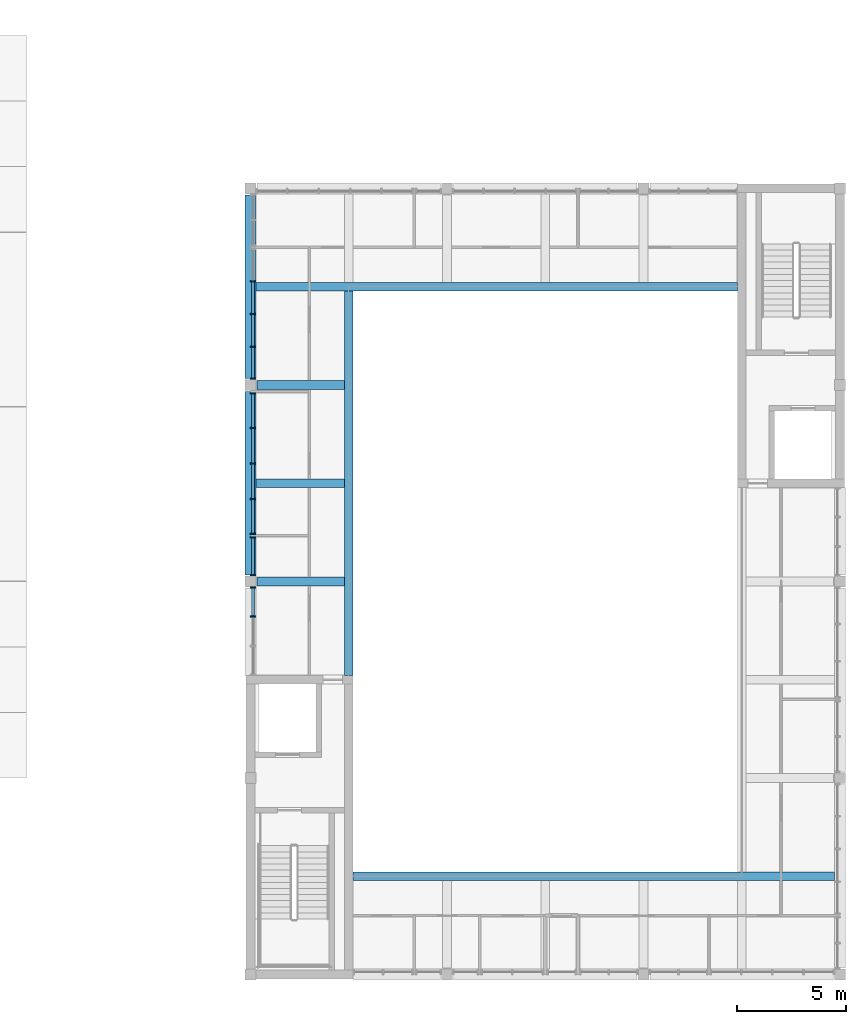
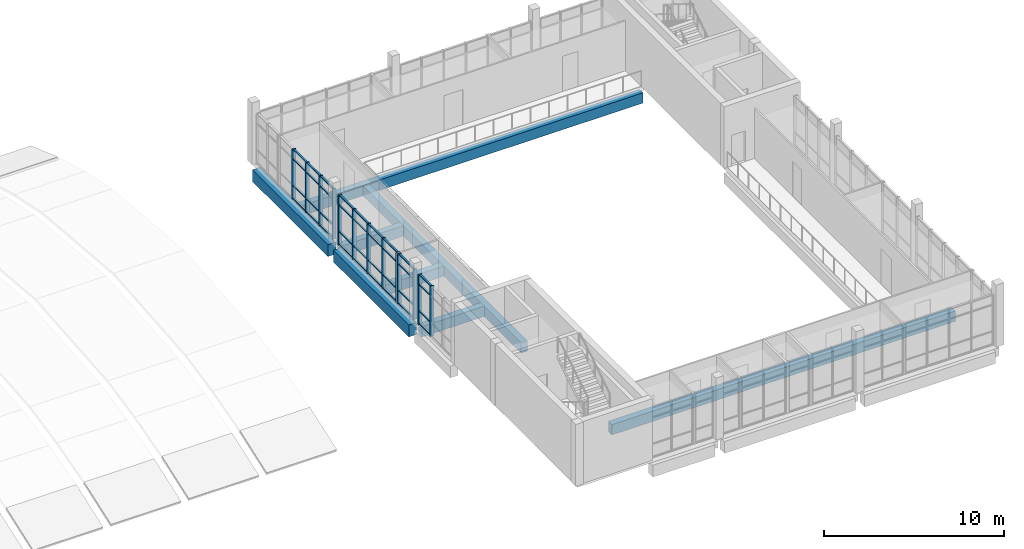
# One storey, part 7 of 74: 49 members, 8 beams, 4 elements without a shape of their own.
"""IFC4 building model written with IfcOpenShell, lengths in metres."""

from ifc_helpers import new_model, si_unit, direction, frame, origin, origin_2d, place, context, subcontext, project, spatial, rectangle, extrude, material, material_profile, profile_set, type_object, element, aggregate, save


model = new_model("IFC4")

# Units and contexts
model_context = context("Model", 3, precision=1e-05, world=origin(), true_north=direction((0.0, 1.0)))
body_context = subcontext(model_context, "Body", "Model", "MODEL_VIEW")
ifc_project = project(units=[si_unit("LENGTHUNIT", "METRE"), si_unit("AREAUNIT", "SQUARE_METRE"), si_unit("VOLUMEUNIT", "CUBIC_METRE"), si_unit("PLANEANGLEUNIT", "RADIAN"), si_unit("MASSUNIT", "GRAM", prefix="KILO")], contexts=[model_context])

# Site, building, storey
site_placement = place(None, origin())
site = spatial("IfcSite", under=ifc_project, at=site_placement, CompositionType="ELEMENT")
building_placement = place(site_placement, origin())
building = spatial("IfcBuilding", under=site, at=building_placement, Name="Merrow Basin Faculty of Sciences", CompositionType="ELEMENT")
storey_placement = place(building_placement, frame((0.0, 0.0, 13.5)))
storey = spatial("IfcBuildingStorey", under=building, at=storey_placement, Name="L03", CompositionType="ELEMENT", Elevation=13.5)

# Curtain wall, members
ifc_material_1 = material(Name="Aluminium alloy 6063", Category="aluminium")
curtain_wall_type = type_object("IfcCurtainWallType", Name="Atrium unitised curtain wall 240", PredefinedType="NOTDEFINED", material=ifc_material_1)
curtain_wall_1_placement = place(storey_placement, origin())
curtain_wall_1 = element("IfcCurtainWall", 1, at=curtain_wall_1_placement, inside=storey, type_object=curtain_wall_type, Name="W curtain wall L03 1", PredefinedType="NOTDEFINED")
ifc_material_2 = material(Name="Aluminium alloy 6063", Category="aluminium")
ifc_material_profile_1 = material_profile(ifc_material_2, rectangle(XDim=0.239990234375, YDim=0.06005859375, at=origin_2d()))
ifc_profile_set_1 = profile_set([ifc_material_profile_1], Name="Aluminium alloy 6063")
member_type_1 = type_object("IfcMemberType", Name="Aluminium mullion 60x240", PredefinedType="MULLION", material=ifc_profile_set_1)
member_1_placement = place(storey_placement, frame((45.1201171875, 16.39990234375, 0.0), z_axis=(0.0, 0.0, 1.0), x_axis=(-1.0, 0.0, 0.0)))
member_1 = element("IfcMember", 2, at=member_1_placement, type_object=member_type_1, Name="CW5 mullion 3", PredefinedType="MULLION", context=body_context, shape_type="SweptSolid", body=[
    extrude(rectangle(XDim=0.239990234375, YDim=0.06005859375, at=origin_2d()), origin(), (0.0, 0.0, 1.0), 3.39990234375),
])
member_2_placement = place(storey_placement, frame((45.1201171875, 17.719970703125, 0.0), z_axis=(0.0, 0.0, 1.0), x_axis=(-1.0, 0.0, 0.0)))
member_2 = element("IfcMember", 3, at=member_2_placement, type_object=member_type_1, Name="CW5 mullion 4", PredefinedType="MULLION", context=body_context, shape_type="SweptSolid", body=[
    extrude(rectangle(XDim=0.239990234375, YDim=0.06005859375, at=origin_2d()), origin(), (0.0, 0.0, 1.0), 3.39990234375),
])

curtain_wall_2_placement = place(storey_placement, origin())
curtain_wall_2 = element("IfcCurtainWall", 4, at=curtain_wall_2_placement, inside=storey, type_object=curtain_wall_type, Name="W curtain wall L03 2", PredefinedType="NOTDEFINED")
member_3_placement = place(storey_placement, frame((45.1201171875, 18.280029296875, 0.0), z_axis=(0.0, 0.0, 1.0), x_axis=(-1.0, 0.0, 0.0)))
member_3 = element("IfcMember", 5, at=member_3_placement, type_object=member_type_1, Name="CW5 mullion 1", PredefinedType="MULLION", context=body_context, shape_type="SweptSolid", body=[
    extrude(rectangle(XDim=0.239990234375, YDim=0.06005859375, at=origin_2d()), origin(), (0.0, 0.0, 1.0), 3.39990234375),
])
member_4_placement = place(storey_placement, frame((45.1201171875, 20.02001953125, 0.0), z_axis=(0.0, 0.0, 1.0), x_axis=(-1.0, 0.0, 0.0)))
member_4 = element("IfcMember", 6, at=member_4_placement, type_object=member_type_1, Name="CW5 mullion 2", PredefinedType="MULLION", context=body_context, shape_type="SweptSolid", body=[
    extrude(rectangle(XDim=0.239990234375, YDim=0.06005859375, at=origin_2d()), origin(), (0.0, 0.0, 1.0), 3.39990234375),
])

curtain_wall_3_placement = place(storey_placement, origin())
curtain_wall_3 = element("IfcCurtainWall", 7, at=curtain_wall_3_placement, inside=storey, type_object=curtain_wall_type, Name="W curtain wall L03 3", PredefinedType="NOTDEFINED")
member_5_placement = place(storey_placement, frame((45.1201171875, 20.179931640625, 0.0), z_axis=(0.0, 0.0, 1.0), x_axis=(-1.0, 0.0, 0.0)))
member_5 = element("IfcMember", 8, at=member_5_placement, type_object=member_type_1, Name="CW5 mullion 1", PredefinedType="MULLION", context=body_context, shape_type="SweptSolid", body=[
    extrude(rectangle(XDim=0.239990234375, YDim=0.06005859375, at=origin_2d()), origin(), (0.0, 0.0, 1.0), 3.39990234375),
])
member_6_placement = place(storey_placement, frame((45.1201171875, 21.77490234375, 0.0), z_axis=(0.0, 0.0, 1.0), x_axis=(-1.0, 0.0, 0.0)))
member_6 = element("IfcMember", 9, at=member_6_placement, type_object=member_type_1, Name="CW5 mullion 2", PredefinedType="MULLION", context=body_context, shape_type="SweptSolid", body=[
    extrude(rectangle(XDim=0.239990234375, YDim=0.06005859375, at=origin_2d()), origin(), (0.0, 0.0, 1.0), 3.39990234375),
])
member_7_placement = place(storey_placement, frame((45.1201171875, 23.39990234375, 0.0), z_axis=(0.0, 0.0, 1.0), x_axis=(-1.0, 0.0, 0.0)))
member_7 = element("IfcMember", 10, at=member_7_placement, type_object=member_type_1, Name="CW5 mullion 3", PredefinedType="MULLION", context=body_context, shape_type="SweptSolid", body=[
    extrude(rectangle(XDim=0.239990234375, YDim=0.06005859375, at=origin_2d()), origin(), (0.0, 0.0, 1.0), 3.39990234375),
])
member_8_placement = place(storey_placement, frame((45.1201171875, 25.02490234375, 0.0), z_axis=(0.0, 0.0, 1.0), x_axis=(-1.0, 0.0, 0.0)))
member_8 = element("IfcMember", 11, at=member_8_placement, type_object=member_type_1, Name="CW5 mullion 4", PredefinedType="MULLION", context=body_context, shape_type="SweptSolid", body=[
    extrude(rectangle(XDim=0.239990234375, YDim=0.06005859375, at=origin_2d()), origin(), (0.0, 0.0, 1.0), 3.39990234375),
])
member_9_placement = place(storey_placement, frame((45.1201171875, 26.6201171875, 0.0), z_axis=(0.0, 0.0, 1.0), x_axis=(-1.0, 0.0, 0.0)))
member_9 = element("IfcMember", 12, at=member_9_placement, type_object=member_type_1, Name="CW5 mullion 5", PredefinedType="MULLION", context=body_context, shape_type="SweptSolid", body=[
    extrude(rectangle(XDim=0.239990234375, YDim=0.06005859375, at=origin_2d()), origin(), (0.0, 0.0, 1.0), 3.39990234375),
])

curtain_wall_4_placement = place(storey_placement, origin())
curtain_wall_4 = element("IfcCurtainWall", 13, at=curtain_wall_4_placement, inside=storey, type_object=curtain_wall_type, Name="W curtain wall L03 4", PredefinedType="NOTDEFINED")
member_10_placement = place(storey_placement, frame((45.1201171875, 27.280029296875, 0.0), z_axis=(0.0, 0.0, 1.0), x_axis=(-1.0, 0.0, 0.0)))
member_10 = element("IfcMember", 14, at=member_10_placement, type_object=member_type_1, Name="CW5 mullion 1", PredefinedType="MULLION", context=body_context, shape_type="SweptSolid", body=[
    extrude(rectangle(XDim=0.239990234375, YDim=0.06005859375, at=origin_2d()), origin(), (0.0, 0.0, 1.0), 3.39990234375),
])
member_11_placement = place(storey_placement, frame((45.1201171875, 28.75, 0.0), z_axis=(0.0, 0.0, 1.0), x_axis=(-1.0, 0.0, 0.0)))
member_11 = element("IfcMember", 15, at=member_11_placement, type_object=member_type_1, Name="CW5 mullion 2", PredefinedType="MULLION", context=body_context, shape_type="SweptSolid", body=[
    extrude(rectangle(XDim=0.239990234375, YDim=0.06005859375, at=origin_2d()), origin(), (0.0, 0.0, 1.0), 3.39990234375),
])
member_12_placement = place(storey_placement, frame((45.1201171875, 30.25, 0.0), z_axis=(0.0, 0.0, 1.0), x_axis=(-1.0, 0.0, 0.0)))
member_12 = element("IfcMember", 16, at=member_12_placement, type_object=member_type_1, Name="CW5 mullion 3", PredefinedType="MULLION", context=body_context, shape_type="SweptSolid", body=[
    extrude(rectangle(XDim=0.239990234375, YDim=0.06005859375, at=origin_2d()), origin(), (0.0, 0.0, 1.0), 3.39990234375),
])
member_13_placement = place(storey_placement, frame((45.1201171875, 31.75, 0.0), z_axis=(0.0, 0.0, 1.0), x_axis=(-1.0, 0.0, 0.0)))
member_13 = element("IfcMember", 17, at=member_13_placement, type_object=member_type_1, Name="CW5 mullion 4", PredefinedType="MULLION", context=body_context, shape_type="SweptSolid", body=[
    extrude(rectangle(XDim=0.239990234375, YDim=0.06005859375, at=origin_2d()), origin(), (0.0, 0.0, 1.0), 3.39990234375),
])

# Member
ifc_material_3 = material(Name="Aluminium alloy 6063", Category="aluminium")
ifc_material_profile_2 = material_profile(ifc_material_3, rectangle(XDim=0.1201171875, YDim=0.06005859375, at=origin_2d()))
ifc_profile_set_2 = profile_set([ifc_material_profile_2], Name="Aluminium alloy 6063")
member_type_2 = type_object("IfcMemberType", Name="Aluminium transom 60x120", PredefinedType="USERDEFINED", material=ifc_profile_set_2)
member_14_placement = place(storey_placement, frame((45.1201171875, 16.429931640625, 0.030029296875), z_axis=(0.0, 1.0, 0.0), x_axis=(-1.0, 0.0, 0.0)))
member_14 = element("IfcMember", 18, at=member_14_placement, type_object=member_type_2, Name="CW5 transom 3.1", ObjectType="TRANSOM", PredefinedType="USERDEFINED", context=body_context, shape_type="SweptSolid", body=[
    extrude(rectangle(XDim=0.1201171875, YDim=0.06005859375, at=origin_2d()), origin(), (0.0, 0.0, 1.0), 1.260009765625),
])

member_15_placement = place(storey_placement, frame((45.1201171875, 16.429931640625, 0.89990234375), z_axis=(0.0, 1.0, 0.0), x_axis=(-1.0, 0.0, 0.0)))
member_15 = element("IfcMember", 19, at=member_15_placement, type_object=member_type_2, Name="CW5 transom 3.2", ObjectType="TRANSOM", PredefinedType="USERDEFINED", context=body_context, shape_type="SweptSolid", body=[
    extrude(rectangle(XDim=0.1201171875, YDim=0.06005859375, at=origin_2d()), origin(), (0.0, 0.0, 1.0), 1.260009765625),
])

member_16_placement = place(storey_placement, frame((45.1201171875, 16.429931640625, 2.699951171875), z_axis=(0.0, 1.0, 0.0), x_axis=(-1.0, 0.0, 0.0)))
member_16 = element("IfcMember", 20, at=member_16_placement, type_object=member_type_2, Name="CW5 transom 3.3", ObjectType="TRANSOM", PredefinedType="USERDEFINED", context=body_context, shape_type="SweptSolid", body=[
    extrude(rectangle(XDim=0.1201171875, YDim=0.06005859375, at=origin_2d()), origin(), (0.0, 0.0, 1.0), 1.260009765625),
])

member_17_placement = place(storey_placement, frame((45.1201171875, 16.429931640625, 3.3701171875), z_axis=(0.0, 1.0, 0.0), x_axis=(-1.0, 0.0, 0.0)))
member_17 = element("IfcMember", 21, at=member_17_placement, type_object=member_type_2, Name="CW5 transom 3.4", ObjectType="TRANSOM", PredefinedType="USERDEFINED", context=body_context, shape_type="SweptSolid", body=[
    extrude(rectangle(XDim=0.1201171875, YDim=0.06005859375, at=origin_2d()), origin(), (0.0, 0.0, 1.0), 1.260009765625),
])

aggregate(curtain_wall_1, [member_1, member_2, member_14, member_15, member_16, member_17])

member_18_placement = place(storey_placement, frame((45.1201171875, 18.31005859375, 0.030029296875), z_axis=(0.0, 1.0, 0.0), x_axis=(-1.0, 0.0, 0.0)))
member_18 = element("IfcMember", 22, at=member_18_placement, type_object=member_type_2, Name="CW5 transom 1.1", ObjectType="TRANSOM", PredefinedType="USERDEFINED", context=body_context, shape_type="SweptSolid", body=[
    extrude(rectangle(XDim=0.1201171875, YDim=0.06005859375, at=origin_2d()), origin(), (0.0, 0.0, 1.0), 1.679931640625),
])

member_19_placement = place(storey_placement, frame((45.1201171875, 18.31005859375, 0.89990234375), z_axis=(0.0, 1.0, 0.0), x_axis=(-1.0, 0.0, 0.0)))
member_19 = element("IfcMember", 23, at=member_19_placement, type_object=member_type_2, Name="CW5 transom 1.2", ObjectType="TRANSOM", PredefinedType="USERDEFINED", context=body_context, shape_type="SweptSolid", body=[
    extrude(rectangle(XDim=0.1201171875, YDim=0.06005859375, at=origin_2d()), origin(), (0.0, 0.0, 1.0), 1.679931640625),
])

member_20_placement = place(storey_placement, frame((45.1201171875, 18.31005859375, 2.699951171875), z_axis=(0.0, 1.0, 0.0), x_axis=(-1.0, 0.0, 0.0)))
member_20 = element("IfcMember", 24, at=member_20_placement, type_object=member_type_2, Name="CW5 transom 1.3", ObjectType="TRANSOM", PredefinedType="USERDEFINED", context=body_context, shape_type="SweptSolid", body=[
    extrude(rectangle(XDim=0.1201171875, YDim=0.06005859375, at=origin_2d()), origin(), (0.0, 0.0, 1.0), 1.679931640625),
])

member_21_placement = place(storey_placement, frame((45.1201171875, 18.31005859375, 3.3701171875), z_axis=(0.0, 1.0, 0.0), x_axis=(-1.0, 0.0, 0.0)))
member_21 = element("IfcMember", 25, at=member_21_placement, type_object=member_type_2, Name="CW5 transom 1.4", ObjectType="TRANSOM", PredefinedType="USERDEFINED", context=body_context, shape_type="SweptSolid", body=[
    extrude(rectangle(XDim=0.1201171875, YDim=0.06005859375, at=origin_2d()), origin(), (0.0, 0.0, 1.0), 1.679931640625),
])

aggregate(curtain_wall_2, [member_3, member_4, member_18, member_19, member_20, member_21])

member_22_placement = place(storey_placement, frame((45.1201171875, 20.2099609375, 0.030029296875), z_axis=(0.0, 1.0, 0.0), x_axis=(-1.0, 0.0, 0.0)))
member_22 = element("IfcMember", 26, at=member_22_placement, type_object=member_type_2, Name="CW5 transom 1.1", ObjectType="TRANSOM", PredefinedType="USERDEFINED", context=body_context, shape_type="SweptSolid", body=[
    extrude(rectangle(XDim=0.1201171875, YDim=0.06005859375, at=origin_2d()), origin(), (0.0, 0.0, 1.0), 1.53515625),
])

member_23_placement = place(storey_placement, frame((45.1201171875, 20.2099609375, 0.89990234375), z_axis=(0.0, 1.0, 0.0), x_axis=(-1.0, 0.0, 0.0)))
member_23 = element("IfcMember", 27, at=member_23_placement, type_object=member_type_2, Name="CW5 transom 1.2", ObjectType="TRANSOM", PredefinedType="USERDEFINED", context=body_context, shape_type="SweptSolid", body=[
    extrude(rectangle(XDim=0.1201171875, YDim=0.06005859375, at=origin_2d()), origin(), (0.0, 0.0, 1.0), 1.53515625),
])

member_24_placement = place(storey_placement, frame((45.1201171875, 20.2099609375, 2.699951171875), z_axis=(0.0, 1.0, 0.0), x_axis=(-1.0, 0.0, 0.0)))
member_24 = element("IfcMember", 28, at=member_24_placement, type_object=member_type_2, Name="CW5 transom 1.3", ObjectType="TRANSOM", PredefinedType="USERDEFINED", context=body_context, shape_type="SweptSolid", body=[
    extrude(rectangle(XDim=0.1201171875, YDim=0.06005859375, at=origin_2d()), origin(), (0.0, 0.0, 1.0), 1.53515625),
])

member_25_placement = place(storey_placement, frame((45.1201171875, 20.2099609375, 3.3701171875), z_axis=(0.0, 1.0, 0.0), x_axis=(-1.0, 0.0, 0.0)))
member_25 = element("IfcMember", 29, at=member_25_placement, type_object=member_type_2, Name="CW5 transom 1.4", ObjectType="TRANSOM", PredefinedType="USERDEFINED", context=body_context, shape_type="SweptSolid", body=[
    extrude(rectangle(XDim=0.1201171875, YDim=0.06005859375, at=origin_2d()), origin(), (0.0, 0.0, 1.0), 1.53515625),
])

member_26_placement = place(storey_placement, frame((45.1201171875, 21.804931640625, 0.030029296875), z_axis=(0.0, 1.0, 0.0), x_axis=(-1.0, 0.0, 0.0)))
member_26 = element("IfcMember", 30, at=member_26_placement, type_object=member_type_2, Name="CW5 transom 2.1", ObjectType="TRANSOM", PredefinedType="USERDEFINED", context=body_context, shape_type="SweptSolid", body=[
    extrude(rectangle(XDim=0.1201171875, YDim=0.06005859375, at=origin_2d()), origin(), (0.0, 0.0, 1.0), 1.565185546875),
])

member_27_placement = place(storey_placement, frame((45.1201171875, 21.804931640625, 0.89990234375), z_axis=(0.0, 1.0, 0.0), x_axis=(-1.0, 0.0, 0.0)))
member_27 = element("IfcMember", 31, at=member_27_placement, type_object=member_type_2, Name="CW5 transom 2.2", ObjectType="TRANSOM", PredefinedType="USERDEFINED", context=body_context, shape_type="SweptSolid", body=[
    extrude(rectangle(XDim=0.1201171875, YDim=0.06005859375, at=origin_2d()), origin(), (0.0, 0.0, 1.0), 1.565185546875),
])

member_28_placement = place(storey_placement, frame((45.1201171875, 21.804931640625, 2.699951171875), z_axis=(0.0, 1.0, 0.0), x_axis=(-1.0, 0.0, 0.0)))
member_28 = element("IfcMember", 32, at=member_28_placement, type_object=member_type_2, Name="CW5 transom 2.3", ObjectType="TRANSOM", PredefinedType="USERDEFINED", context=body_context, shape_type="SweptSolid", body=[
    extrude(rectangle(XDim=0.1201171875, YDim=0.06005859375, at=origin_2d()), origin(), (0.0, 0.0, 1.0), 1.565185546875),
])

member_29_placement = place(storey_placement, frame((45.1201171875, 21.804931640625, 3.3701171875), z_axis=(0.0, 1.0, 0.0), x_axis=(-1.0, 0.0, 0.0)))
member_29 = element("IfcMember", 33, at=member_29_placement, type_object=member_type_2, Name="CW5 transom 2.4", ObjectType="TRANSOM", PredefinedType="USERDEFINED", context=body_context, shape_type="SweptSolid", body=[
    extrude(rectangle(XDim=0.1201171875, YDim=0.06005859375, at=origin_2d()), origin(), (0.0, 0.0, 1.0), 1.565185546875),
])

member_30_placement = place(storey_placement, frame((45.1201171875, 23.429931640625, 0.030029296875), z_axis=(0.0, 1.0, 0.0), x_axis=(-1.0, 0.0, 0.0)))
member_30 = element("IfcMember", 34, at=member_30_placement, type_object=member_type_2, Name="CW5 transom 3.1", ObjectType="TRANSOM", PredefinedType="USERDEFINED", context=body_context, shape_type="SweptSolid", body=[
    extrude(rectangle(XDim=0.1201171875, YDim=0.06005859375, at=origin_2d()), origin(), (0.0, 0.0, 1.0), 1.565185546875),
])

member_31_placement = place(storey_placement, frame((45.1201171875, 23.429931640625, 0.89990234375), z_axis=(0.0, 1.0, 0.0), x_axis=(-1.0, 0.0, 0.0)))
member_31 = element("IfcMember", 35, at=member_31_placement, type_object=member_type_2, Name="CW5 transom 3.2", ObjectType="TRANSOM", PredefinedType="USERDEFINED", context=body_context, shape_type="SweptSolid", body=[
    extrude(rectangle(XDim=0.1201171875, YDim=0.06005859375, at=origin_2d()), origin(), (0.0, 0.0, 1.0), 1.565185546875),
])

member_32_placement = place(storey_placement, frame((45.1201171875, 23.429931640625, 2.699951171875), z_axis=(0.0, 1.0, 0.0), x_axis=(-1.0, 0.0, 0.0)))
member_32 = element("IfcMember", 36, at=member_32_placement, type_object=member_type_2, Name="CW5 transom 3.3", ObjectType="TRANSOM", PredefinedType="USERDEFINED", context=body_context, shape_type="SweptSolid", body=[
    extrude(rectangle(XDim=0.1201171875, YDim=0.06005859375, at=origin_2d()), origin(), (0.0, 0.0, 1.0), 1.565185546875),
])

member_33_placement = place(storey_placement, frame((45.1201171875, 23.429931640625, 3.3701171875), z_axis=(0.0, 1.0, 0.0), x_axis=(-1.0, 0.0, 0.0)))
member_33 = element("IfcMember", 37, at=member_33_placement, type_object=member_type_2, Name="CW5 transom 3.4", ObjectType="TRANSOM", PredefinedType="USERDEFINED", context=body_context, shape_type="SweptSolid", body=[
    extrude(rectangle(XDim=0.1201171875, YDim=0.06005859375, at=origin_2d()), origin(), (0.0, 0.0, 1.0), 1.565185546875),
])

member_34_placement = place(storey_placement, frame((45.1201171875, 25.054931640625, 0.030029296875), z_axis=(0.0, 1.0, 0.0), x_axis=(-1.0, 0.0, 0.0)))
member_34 = element("IfcMember", 38, at=member_34_placement, type_object=member_type_2, Name="CW5 transom 4.1", ObjectType="TRANSOM", PredefinedType="USERDEFINED", context=body_context, shape_type="SweptSolid", body=[
    extrude(rectangle(XDim=0.1201171875, YDim=0.06005859375, at=origin_2d()), origin(), (0.0, 0.0, 1.0), 1.53515625),
])

member_35_placement = place(storey_placement, frame((45.1201171875, 25.054931640625, 0.89990234375), z_axis=(0.0, 1.0, 0.0), x_axis=(-1.0, 0.0, 0.0)))
member_35 = element("IfcMember", 39, at=member_35_placement, type_object=member_type_2, Name="CW5 transom 4.2", ObjectType="TRANSOM", PredefinedType="USERDEFINED", context=body_context, shape_type="SweptSolid", body=[
    extrude(rectangle(XDim=0.1201171875, YDim=0.06005859375, at=origin_2d()), origin(), (0.0, 0.0, 1.0), 1.53515625),
])

member_36_placement = place(storey_placement, frame((45.1201171875, 25.054931640625, 2.699951171875), z_axis=(0.0, 1.0, 0.0), x_axis=(-1.0, 0.0, 0.0)))
member_36 = element("IfcMember", 40, at=member_36_placement, type_object=member_type_2, Name="CW5 transom 4.3", ObjectType="TRANSOM", PredefinedType="USERDEFINED", context=body_context, shape_type="SweptSolid", body=[
    extrude(rectangle(XDim=0.1201171875, YDim=0.06005859375, at=origin_2d()), origin(), (0.0, 0.0, 1.0), 1.53515625),
])

member_37_placement = place(storey_placement, frame((45.1201171875, 25.054931640625, 3.3701171875), z_axis=(0.0, 1.0, 0.0), x_axis=(-1.0, 0.0, 0.0)))
member_37 = element("IfcMember", 41, at=member_37_placement, type_object=member_type_2, Name="CW5 transom 4.4", ObjectType="TRANSOM", PredefinedType="USERDEFINED", context=body_context, shape_type="SweptSolid", body=[
    extrude(rectangle(XDim=0.1201171875, YDim=0.06005859375, at=origin_2d()), origin(), (0.0, 0.0, 1.0), 1.53515625),
])

aggregate(curtain_wall_3, [member_5, member_6, member_7, member_8, member_9, member_22, member_23, member_24, member_25, member_26, member_27, member_28, member_29, member_30, member_31, member_32, member_33, member_34, member_35, member_36, member_37])

member_38_placement = place(storey_placement, frame((45.1201171875, 27.31005859375, 0.030029296875), z_axis=(0.0, 1.0, 0.0), x_axis=(-1.0, 0.0, 0.0)))
member_38 = element("IfcMember", 42, at=member_38_placement, type_object=member_type_2, Name="CW5 transom 1.1", ObjectType="TRANSOM", PredefinedType="USERDEFINED", context=body_context, shape_type="SweptSolid", body=[
    extrude(rectangle(XDim=0.1201171875, YDim=0.06005859375, at=origin_2d()), origin(), (0.0, 0.0, 1.0), 1.409912109375),
])

member_39_placement = place(storey_placement, frame((45.1201171875, 27.31005859375, 0.89990234375), z_axis=(0.0, 1.0, 0.0), x_axis=(-1.0, 0.0, 0.0)))
member_39 = element("IfcMember", 43, at=member_39_placement, type_object=member_type_2, Name="CW5 transom 1.2", ObjectType="TRANSOM", PredefinedType="USERDEFINED", context=body_context, shape_type="SweptSolid", body=[
    extrude(rectangle(XDim=0.1201171875, YDim=0.06005859375, at=origin_2d()), origin(), (0.0, 0.0, 1.0), 1.409912109375),
])

member_40_placement = place(storey_placement, frame((45.1201171875, 27.31005859375, 2.699951171875), z_axis=(0.0, 1.0, 0.0), x_axis=(-1.0, 0.0, 0.0)))
member_40 = element("IfcMember", 44, at=member_40_placement, type_object=member_type_2, Name="CW5 transom 1.3", ObjectType="TRANSOM", PredefinedType="USERDEFINED", context=body_context, shape_type="SweptSolid", body=[
    extrude(rectangle(XDim=0.1201171875, YDim=0.06005859375, at=origin_2d()), origin(), (0.0, 0.0, 1.0), 1.409912109375),
])

member_41_placement = place(storey_placement, frame((45.1201171875, 27.31005859375, 3.3701171875), z_axis=(0.0, 1.0, 0.0), x_axis=(-1.0, 0.0, 0.0)))
member_41 = element("IfcMember", 45, at=member_41_placement, type_object=member_type_2, Name="CW5 transom 1.4", ObjectType="TRANSOM", PredefinedType="USERDEFINED", context=body_context, shape_type="SweptSolid", body=[
    extrude(rectangle(XDim=0.1201171875, YDim=0.06005859375, at=origin_2d()), origin(), (0.0, 0.0, 1.0), 1.409912109375),
])

member_42_placement = place(storey_placement, frame((45.1201171875, 28.780029296875, 0.030029296875), z_axis=(0.0, 1.0, 0.0), x_axis=(-1.0, 0.0, 0.0)))
member_42 = element("IfcMember", 46, at=member_42_placement, type_object=member_type_2, Name="CW5 transom 2.1", ObjectType="TRANSOM", PredefinedType="USERDEFINED", context=body_context, shape_type="SweptSolid", body=[
    extrude(rectangle(XDim=0.1201171875, YDim=0.06005859375, at=origin_2d()), origin(), (0.0, 0.0, 1.0), 1.43994140625),
])

member_43_placement = place(storey_placement, frame((45.1201171875, 28.780029296875, 0.89990234375), z_axis=(0.0, 1.0, 0.0), x_axis=(-1.0, 0.0, 0.0)))
member_43 = element("IfcMember", 47, at=member_43_placement, type_object=member_type_2, Name="CW5 transom 2.2", ObjectType="TRANSOM", PredefinedType="USERDEFINED", context=body_context, shape_type="SweptSolid", body=[
    extrude(rectangle(XDim=0.1201171875, YDim=0.06005859375, at=origin_2d()), origin(), (0.0, 0.0, 1.0), 1.43994140625),
])

member_44_placement = place(storey_placement, frame((45.1201171875, 28.780029296875, 2.699951171875), z_axis=(0.0, 1.0, 0.0), x_axis=(-1.0, 0.0, 0.0)))
member_44 = element("IfcMember", 48, at=member_44_placement, type_object=member_type_2, Name="CW5 transom 2.3", ObjectType="TRANSOM", PredefinedType="USERDEFINED", context=body_context, shape_type="SweptSolid", body=[
    extrude(rectangle(XDim=0.1201171875, YDim=0.06005859375, at=origin_2d()), origin(), (0.0, 0.0, 1.0), 1.43994140625),
])

member_45_placement = place(storey_placement, frame((45.1201171875, 28.780029296875, 3.3701171875), z_axis=(0.0, 1.0, 0.0), x_axis=(-1.0, 0.0, 0.0)))
member_45 = element("IfcMember", 49, at=member_45_placement, type_object=member_type_2, Name="CW5 transom 2.4", ObjectType="TRANSOM", PredefinedType="USERDEFINED", context=body_context, shape_type="SweptSolid", body=[
    extrude(rectangle(XDim=0.1201171875, YDim=0.06005859375, at=origin_2d()), origin(), (0.0, 0.0, 1.0), 1.43994140625),
])

member_46_placement = place(storey_placement, frame((45.1201171875, 30.280029296875, 0.030029296875), z_axis=(0.0, 1.0, 0.0), x_axis=(-1.0, 0.0, 0.0)))
member_46 = element("IfcMember", 50, at=member_46_placement, type_object=member_type_2, Name="CW5 transom 3.1", ObjectType="TRANSOM", PredefinedType="USERDEFINED", context=body_context, shape_type="SweptSolid", body=[
    extrude(rectangle(XDim=0.1201171875, YDim=0.06005859375, at=origin_2d()), origin(), (0.0, 0.0, 1.0), 1.43994140625),
])

member_47_placement = place(storey_placement, frame((45.1201171875, 30.280029296875, 0.89990234375), z_axis=(0.0, 1.0, 0.0), x_axis=(-1.0, 0.0, 0.0)))
member_47 = element("IfcMember", 51, at=member_47_placement, type_object=member_type_2, Name="CW5 transom 3.2", ObjectType="TRANSOM", PredefinedType="USERDEFINED", context=body_context, shape_type="SweptSolid", body=[
    extrude(rectangle(XDim=0.1201171875, YDim=0.06005859375, at=origin_2d()), origin(), (0.0, 0.0, 1.0), 1.43994140625),
])

member_48_placement = place(storey_placement, frame((45.1201171875, 30.280029296875, 2.699951171875), z_axis=(0.0, 1.0, 0.0), x_axis=(-1.0, 0.0, 0.0)))
member_48 = element("IfcMember", 52, at=member_48_placement, type_object=member_type_2, Name="CW5 transom 3.3", ObjectType="TRANSOM", PredefinedType="USERDEFINED", context=body_context, shape_type="SweptSolid", body=[
    extrude(rectangle(XDim=0.1201171875, YDim=0.06005859375, at=origin_2d()), origin(), (0.0, 0.0, 1.0), 1.43994140625),
])

member_49_placement = place(storey_placement, frame((45.1201171875, 30.280029296875, 3.3701171875), z_axis=(0.0, 1.0, 0.0), x_axis=(-1.0, 0.0, 0.0)))
member_49 = element("IfcMember", 53, at=member_49_placement, type_object=member_type_2, Name="CW5 transom 3.4", ObjectType="TRANSOM", PredefinedType="USERDEFINED", context=body_context, shape_type="SweptSolid", body=[
    extrude(rectangle(XDim=0.1201171875, YDim=0.06005859375, at=origin_2d()), origin(), (0.0, 0.0, 1.0), 1.43994140625),
])

aggregate(curtain_wall_4, [member_10, member_11, member_12, member_13, member_38, member_39, member_40, member_41, member_42, member_43, member_44, member_45, member_46, member_47, member_48, member_49])

# Beams
ifc_material_4 = material(Name="Concrete C40/50", Category="concrete")
ifc_material_profile_3 = material_profile(ifc_material_4, rectangle(XDim=0.5, YDim=0.800048828125, at=origin_2d()))
ifc_profile_set_3 = profile_set([ifc_material_profile_3], Name="Concrete C40/50")
beam_type_1 = type_object("IfcBeamType", Name="Beam RC500x800 C40/50", PredefinedType="BEAM", material=ifc_profile_set_3)
for number, where, z_axis, x_axis, name in (
    (54, (45.0, 18.300048828125, -0.699951171875), (0.0, 1.0, 0.0), (-1.0, 0.0, 0.0), "B4 L03 008"),
    (55, (45.0, 27.300048828125, -0.699951171875), (0.0, 1.0, 0.0), (-1.0, 0.0, 0.0), "B4 L03 009"),
):
    element("IfcBeam", number, at=place(storey_placement, frame(where, z_axis=z_axis, x_axis=x_axis)), inside=storey, type_object=beam_type_1, Name=name, PredefinedType="BEAM", context=body_context, shape_type="SweptSolid", body=[
        extrude(rectangle(XDim=0.5, YDim=0.800048828125, at=origin_2d()), origin(), (0.0, 0.0, 1.0), 8.39990234375),
    ])
ifc_material_5 = material(Name="Concrete C40/50", Category="concrete")
ifc_material_profile_4 = material_profile(ifc_material_5, rectangle(XDim=0.39990234375, YDim=0.699951171875, at=origin_2d()))
ifc_profile_set_4 = profile_set([ifc_material_profile_4], Name="Concrete C40/50")
beam_type_2 = type_object("IfcBeamType", Name="Gallery edge beam RC400x700 C40/50", PredefinedType="BEAM", material=ifc_profile_set_4)
for number, where, z_axis, x_axis, name in (
    (56, (49.699951171875, 4.5, -0.64990234375), (1.0, 0.0, 0.0), (0.0, 1.0, 0.0), "GB1 L03 013"),
    (57, (45.25, 31.5, -0.64990234375), (1.0, 0.0, 0.0), (0.0, 1.0, 0.0), "GB1 L03 014"),
):
    element("IfcBeam", number, at=place(storey_placement, frame(where, z_axis=z_axis, x_axis=x_axis)), inside=storey, type_object=beam_type_2, Name=name, PredefinedType="BEAM", context=body_context, shape_type="SweptSolid", body=[
        extrude(rectangle(XDim=0.39990234375, YDim=0.699951171875, at=origin_2d()), origin(), (0.0, 0.0, 1.0), 22.050048828125),
    ])
beam_1_placement = place(storey_placement, frame((49.5, 13.699951171875, -0.64990234375), z_axis=(0.0, 1.0, 0.0), x_axis=(-1.0, 0.0, 0.0)))
element("IfcBeam", 58, at=beam_1_placement, inside=storey, type_object=beam_type_2, Name="GB1 L03 015", PredefinedType="BEAM", context=body_context, shape_type="SweptSolid", body=[
    extrude(rectangle(XDim=0.39990234375, YDim=0.699951171875, at=origin_2d()), origin(), (0.0, 0.0, 1.0), 17.60009765625),
])
beam_2_placement = place(storey_placement, frame((45.25, 22.5, -0.64990234375), z_axis=(1.0, 0.0, 0.0), x_axis=(0.0, 1.0, 0.0)))
element("IfcBeam", 59, at=beam_2_placement, inside=storey, type_object=beam_type_2, Name="GB1 L03 026", PredefinedType="BEAM", context=body_context, shape_type="SweptSolid", body=[
    extrude(rectangle(XDim=0.39990234375, YDim=0.699951171875, at=origin_2d()), origin(), (0.0, 0.0, 1.0), 4.050048828125),
])
for number, where, z_axis, x_axis, name in (
    (60, (45.300048828125, 18.0, -0.64990234375), (1.0, 0.0, 0.0), (0.0, 1.0, 0.0), "GB1 L03 028"),
    (61, (45.300048828125, 27.0, -0.64990234375), (1.0, 0.0, 0.0), (0.0, 1.0, 0.0), "GB1 L03 030"),
):
    element("IfcBeam", number, at=place(storey_placement, frame(where, z_axis=z_axis, x_axis=x_axis)), inside=storey, type_object=beam_type_2, Name=name, PredefinedType="BEAM", context=body_context, shape_type="SweptSolid", body=[
        extrude(rectangle(XDim=0.39990234375, YDim=0.699951171875, at=origin_2d()), origin(), (0.0, 0.0, 1.0), 4.0),
    ])

save(model, "model.ifc")
